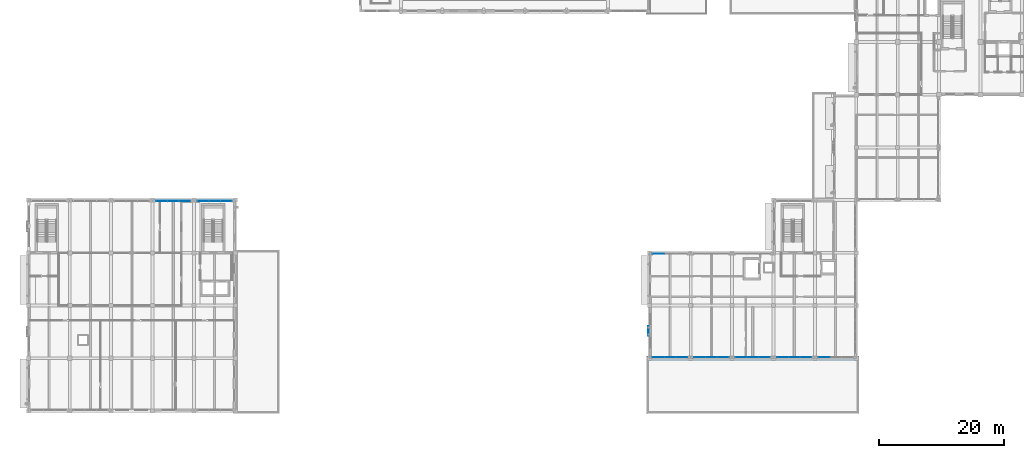
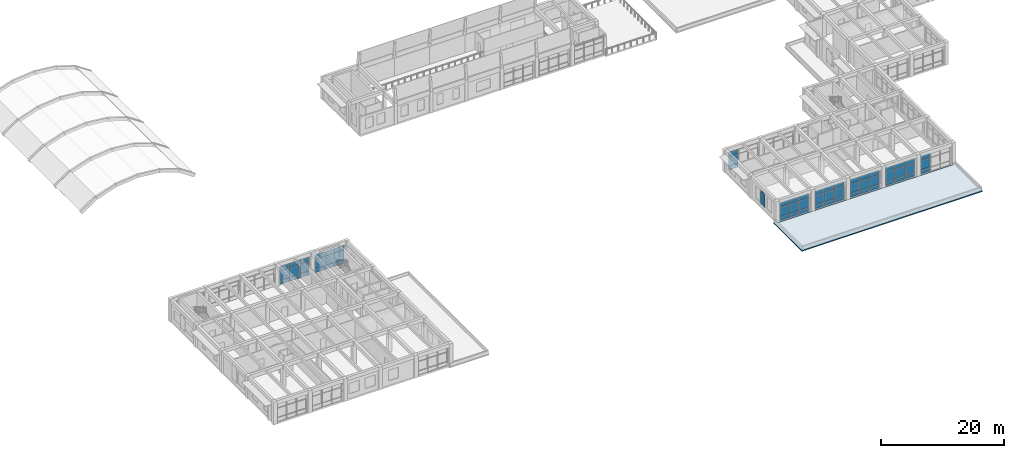
# One storey, part 20 of 50: 61 plates, 1 slab, 8 elements without a shape of their own.
"""IFC4 building model written with IfcOpenShell, lengths in metres."""

from ifc_helpers import new_model, si_unit, direction, frame, origin, origin_2d, place, context, subcontext, project, spatial, polyline, rectangle, outline, extrude, material, layer, layer_set, type_object, element, aggregate, save


model = new_model("IFC4")

# Units and contexts
model_context = context("Model", 3, precision=1e-05, world=origin(), true_north=direction((0.0, 1.0)))
body_context = subcontext(model_context, "Body", "Model", "MODEL_VIEW")
ifc_project = project(units=[si_unit("LENGTHUNIT", "METRE"), si_unit("AREAUNIT", "SQUARE_METRE"), si_unit("VOLUMEUNIT", "CUBIC_METRE"), si_unit("PLANEANGLEUNIT", "RADIAN"), si_unit("MASSUNIT", "GRAM", prefix="KILO")], contexts=[model_context])

# Site, building, storey
site_placement = place(None, origin())
site = spatial("IfcSite", under=ifc_project, at=site_placement, CompositionType="ELEMENT")
building_placement = place(site_placement, origin())
building = spatial("IfcBuilding", under=site, at=building_placement, Name="Kolvaren Faculty of Natural Sciences", CompositionType="ELEMENT")
storey_placement = place(building_placement, frame((0.0, 0.0, 15.0)))
storey = spatial("IfcBuildingStorey", under=building, at=storey_placement, Name="L03", CompositionType="ELEMENT", Elevation=15.0)

# Curtain wall, plates
ifc_material_1 = material(Name="Thermally broken anodised aluminium framing", Category="aluminium")
ifc_layer_1 = layer(ifc_material_1, 0.179931640625)
ifc_layer_set_1 = layer_set([ifc_layer_1], Name="Thermally broken anodised aluminium framing")
curtain_wall_type = type_object("IfcCurtainWallType", Name="CommonsCurtainWall_CW02", PredefinedType="NOTDEFINED", material=ifc_layer_set_1)
curtain_wall_1_placement = place(storey_placement, origin())
curtain_wall_1 = element("IfcCurtainWall", 1, at=curtain_wall_1_placement, inside=storey, type_object=curtain_wall_type, Name="L03 unitised curtain wall CW-02 (CW-L03-136)", PredefinedType="NOTDEFINED")
ifc_material_2 = material(Name="Double low-E solar control insulated glazing", Category="glass")
ifc_layer_2 = layer(ifc_material_2, 0.035888671875)
ifc_layer_set_2 = layer_set([ifc_layer_2], Name="Double low-E solar control insulated glazing")
plate_type_1 = type_object("IfcPlateType", Name="EnvelopePlate_CWPGL1", PredefinedType="CURTAIN_PANEL", material=ifc_layer_set_2)
plate_1_placement = place(storey_placement, frame((28.066650390625, 42.06005859375, 0.919921875), z_axis=(0.0, 0.0, 1.0), x_axis=(1.0, 0.0, 0.0)))
plate_1 = element("IfcPlate", 2, at=plate_1_placement, type_object=plate_type_1, Name="CW-L03-136 panel 1 V1", PredefinedType="CURTAIN_PANEL", context=body_context, shape_type="SweptSolid", body=[
    extrude(rectangle(XDim=1.783203125, YDim=0.035888671875, at=origin_2d()), origin(), (0.0, 0.0, 1.0), 1.844970703125),
])
plate_2_placement = place(storey_placement, frame((29.89990234375, 42.06005859375, 0.919921875), z_axis=(0.0, 0.0, 1.0), x_axis=(1.0, 0.0, 0.0)))
plate_2 = element("IfcPlate", 3, at=plate_2_placement, type_object=plate_type_1, Name="CW-L03-136 panel 2 V1", PredefinedType="CURTAIN_PANEL", context=body_context, shape_type="SweptSolid", body=[
    extrude(rectangle(XDim=1.783203125, YDim=0.035888671875, at=origin_2d()), origin(), (0.0, 0.0, 1.0), 1.844970703125),
])
plate_3_placement = place(storey_placement, frame((31.7333984375, 42.06005859375, 0.919921875), z_axis=(0.0, 0.0, 1.0), x_axis=(1.0, 0.0, 0.0)))
plate_3 = element("IfcPlate", 4, at=plate_3_placement, type_object=plate_type_1, Name="CW-L03-136 panel 3 V1", PredefinedType="CURTAIN_PANEL", context=body_context, shape_type="SweptSolid", body=[
    extrude(rectangle(XDim=1.783203125, YDim=0.035888671875, at=origin_2d()), origin(), (0.0, 0.0, 1.0), 1.844970703125),
])

curtain_wall_2_placement = place(storey_placement, origin())
curtain_wall_2 = element("IfcCurtainWall", 5, at=curtain_wall_2_placement, inside=storey, type_object=curtain_wall_type, Name="L03 unitised curtain wall CW-02 (CW-L03-137)", PredefinedType="NOTDEFINED")
plate_4_placement = place(storey_placement, frame((34.666748046875, 42.06005859375, 0.919921875), z_axis=(0.0, 0.0, 1.0), x_axis=(1.0, 0.0, 0.0)))
plate_4 = element("IfcPlate", 6, at=plate_4_placement, type_object=plate_type_1, Name="CW-L03-137 panel 1 V1", PredefinedType="CURTAIN_PANEL", context=body_context, shape_type="SweptSolid", body=[
    extrude(rectangle(XDim=1.783203125, YDim=0.035888671875, at=origin_2d()), origin(), (0.0, 0.0, 1.0), 1.844970703125),
])
plate_5_placement = place(storey_placement, frame((36.5, 42.06005859375, 0.919921875), z_axis=(0.0, 0.0, 1.0), x_axis=(1.0, 0.0, 0.0)))
plate_5 = element("IfcPlate", 7, at=plate_5_placement, type_object=plate_type_1, Name="CW-L03-137 panel 2 V1", PredefinedType="CURTAIN_PANEL", context=body_context, shape_type="SweptSolid", body=[
    extrude(rectangle(XDim=1.783203125, YDim=0.035888671875, at=origin_2d()), origin(), (0.0, 0.0, 1.0), 1.844970703125),
])
plate_6_placement = place(storey_placement, frame((38.333251953125, 42.06005859375, 0.919921875), z_axis=(0.0, 0.0, 1.0), x_axis=(1.0, 0.0, 0.0)))
plate_6 = element("IfcPlate", 8, at=plate_6_placement, type_object=plate_type_1, Name="CW-L03-137 panel 3 V1", PredefinedType="CURTAIN_PANEL", context=body_context, shape_type="SweptSolid", body=[
    extrude(rectangle(XDim=1.783203125, YDim=0.035888671875, at=origin_2d()), origin(), (0.0, 0.0, 1.0), 1.844970703125),
])

# Curtain wall, plate
curtain_wall_3_placement = place(storey_placement, origin())
curtain_wall_3 = element("IfcCurtainWall", 9, at=curtain_wall_3_placement, inside=storey, type_object=curtain_wall_type, Name="L03 unitised curtain wall CW-02 (CW-L03-156)", PredefinedType="NOTDEFINED")
plate_7_placement = place(storey_placement, frame((133.666748046875, 17.139892578125, 0.919921875), z_axis=(0.0, 0.0, 1.0), x_axis=(-1.0, 0.0, 0.0)))
plate_7 = element("IfcPlate", 10, at=plate_7_placement, type_object=plate_type_1, Name="CW-L03-156 panel 3 V1", PredefinedType="CURTAIN_PANEL", context=body_context, shape_type="SweptSolid", body=[
    extrude(rectangle(XDim=1.783203125, YDim=0.035888671875, at=origin_2d()), origin(), (0.0, 0.0, 1.0), 1.844970703125),
])

# Curtain wall, plates
curtain_wall_4_placement = place(storey_placement, origin())
curtain_wall_4 = element("IfcCurtainWall", 11, at=curtain_wall_4_placement, inside=storey, type_object=curtain_wall_type, Name="L03 unitised curtain wall CW-02 (CW-L03-157)", PredefinedType="NOTDEFINED")
plate_8_placement = place(storey_placement, frame((130.7333984375, 17.139892578125, 0.919921875), z_axis=(0.0, 0.0, 1.0), x_axis=(-1.0, 0.0, 0.0)))
plate_8 = element("IfcPlate", 12, at=plate_8_placement, type_object=plate_type_1, Name="CW-L03-157 panel 1 V1", PredefinedType="CURTAIN_PANEL", context=body_context, shape_type="SweptSolid", body=[
    extrude(rectangle(XDim=1.783203125, YDim=0.035888671875, at=origin_2d()), origin(), (0.0, 0.0, 1.0), 1.844970703125),
])
plate_9_placement = place(storey_placement, frame((128.89990234375, 17.139892578125, 0.919921875), z_axis=(0.0, 0.0, 1.0), x_axis=(-1.0, 0.0, 0.0)))
plate_9 = element("IfcPlate", 13, at=plate_9_placement, type_object=plate_type_1, Name="CW-L03-157 panel 2 V1", PredefinedType="CURTAIN_PANEL", context=body_context, shape_type="SweptSolid", body=[
    extrude(rectangle(XDim=1.783203125, YDim=0.035888671875, at=origin_2d()), origin(), (0.0, 0.0, 1.0), 1.844970703125),
])
plate_10_placement = place(storey_placement, frame((127.066650390625, 17.139892578125, 0.919921875), z_axis=(0.0, 0.0, 1.0), x_axis=(-1.0, 0.0, 0.0)))
plate_10 = element("IfcPlate", 14, at=plate_10_placement, type_object=plate_type_1, Name="CW-L03-157 panel 3 V1", PredefinedType="CURTAIN_PANEL", context=body_context, shape_type="SweptSolid", body=[
    extrude(rectangle(XDim=1.783203125, YDim=0.035888671875, at=origin_2d()), origin(), (0.0, 0.0, 1.0), 1.844970703125),
])

curtain_wall_5_placement = place(storey_placement, origin())
curtain_wall_5 = element("IfcCurtainWall", 15, at=curtain_wall_5_placement, inside=storey, type_object=curtain_wall_type, Name="L03 unitised curtain wall CW-02 (CW-L03-158)", PredefinedType="NOTDEFINED")
plate_11_placement = place(storey_placement, frame((124.13330078125, 17.139892578125, 0.919921875), z_axis=(0.0, 0.0, 1.0), x_axis=(-1.0, 0.0, 0.0)))
plate_11 = element("IfcPlate", 16, at=plate_11_placement, type_object=plate_type_1, Name="CW-L03-158 panel 1 V1", PredefinedType="CURTAIN_PANEL", context=body_context, shape_type="SweptSolid", body=[
    extrude(rectangle(XDim=1.783203125, YDim=0.035888671875, at=origin_2d()), origin(), (0.0, 0.0, 1.0), 1.844970703125),
])
plate_12_placement = place(storey_placement, frame((122.300048828125, 17.139892578125, 0.919921875), z_axis=(0.0, 0.0, 1.0), x_axis=(-1.0, 0.0, 0.0)))
plate_12 = element("IfcPlate", 17, at=plate_12_placement, type_object=plate_type_1, Name="CW-L03-158 panel 2 V1", PredefinedType="CURTAIN_PANEL", context=body_context, shape_type="SweptSolid", body=[
    extrude(rectangle(XDim=1.783203125, YDim=0.035888671875, at=origin_2d()), origin(), (0.0, 0.0, 1.0), 1.844970703125),
])
plate_13_placement = place(storey_placement, frame((120.466796875, 17.139892578125, 0.919921875), z_axis=(0.0, 0.0, 1.0), x_axis=(-1.0, 0.0, 0.0)))
plate_13 = element("IfcPlate", 18, at=plate_13_placement, type_object=plate_type_1, Name="CW-L03-158 panel 3 V1", PredefinedType="CURTAIN_PANEL", context=body_context, shape_type="SweptSolid", body=[
    extrude(rectangle(XDim=1.783203125, YDim=0.035888671875, at=origin_2d()), origin(), (0.0, 0.0, 1.0), 1.844970703125),
])

curtain_wall_6_placement = place(storey_placement, origin())
curtain_wall_6 = element("IfcCurtainWall", 19, at=curtain_wall_6_placement, inside=storey, type_object=curtain_wall_type, Name="L03 unitised curtain wall CW-02 (CW-L03-159)", PredefinedType="NOTDEFINED")
plate_14_placement = place(storey_placement, frame((117.533203125, 17.139892578125, 0.919921875), z_axis=(0.0, 0.0, 1.0), x_axis=(-1.0, 0.0, 0.0)))
plate_14 = element("IfcPlate", 20, at=plate_14_placement, type_object=plate_type_1, Name="CW-L03-159 panel 1 V1", PredefinedType="CURTAIN_PANEL", context=body_context, shape_type="SweptSolid", body=[
    extrude(rectangle(XDim=1.783203125, YDim=0.035888671875, at=origin_2d()), origin(), (0.0, 0.0, 1.0), 1.844970703125),
])
plate_15_placement = place(storey_placement, frame((115.699951171875, 17.139892578125, 0.919921875), z_axis=(0.0, 0.0, 1.0), x_axis=(-1.0, 0.0, 0.0)))
plate_15 = element("IfcPlate", 21, at=plate_15_placement, type_object=plate_type_1, Name="CW-L03-159 panel 2 V1", PredefinedType="CURTAIN_PANEL", context=body_context, shape_type="SweptSolid", body=[
    extrude(rectangle(XDim=1.783203125, YDim=0.035888671875, at=origin_2d()), origin(), (0.0, 0.0, 1.0), 1.844970703125),
])
plate_16_placement = place(storey_placement, frame((113.86669921875, 17.139892578125, 0.919921875), z_axis=(0.0, 0.0, 1.0), x_axis=(-1.0, 0.0, 0.0)))
plate_16 = element("IfcPlate", 22, at=plate_16_placement, type_object=plate_type_1, Name="CW-L03-159 panel 3 V1", PredefinedType="CURTAIN_PANEL", context=body_context, shape_type="SweptSolid", body=[
    extrude(rectangle(XDim=1.783203125, YDim=0.035888671875, at=origin_2d()), origin(), (0.0, 0.0, 1.0), 1.844970703125),
])

curtain_wall_7_placement = place(storey_placement, origin())
curtain_wall_7 = element("IfcCurtainWall", 23, at=curtain_wall_7_placement, inside=storey, type_object=curtain_wall_type, Name="L03 unitised curtain wall CW-02 (CW-L03-160)", PredefinedType="NOTDEFINED")
plate_17_placement = place(storey_placement, frame((110.933349609375, 17.139892578125, 0.919921875), z_axis=(0.0, 0.0, 1.0), x_axis=(-1.0, 0.0, 0.0)))
plate_17 = element("IfcPlate", 24, at=plate_17_placement, type_object=plate_type_1, Name="CW-L03-160 panel 1 V1", PredefinedType="CURTAIN_PANEL", context=body_context, shape_type="SweptSolid", body=[
    extrude(rectangle(XDim=1.783203125, YDim=0.035888671875, at=origin_2d()), origin(), (0.0, 0.0, 1.0), 1.844970703125),
])
plate_18_placement = place(storey_placement, frame((109.10009765625, 17.139892578125, 0.919921875), z_axis=(0.0, 0.0, 1.0), x_axis=(-1.0, 0.0, 0.0)))
plate_18 = element("IfcPlate", 25, at=plate_18_placement, type_object=plate_type_1, Name="CW-L03-160 panel 2 V1", PredefinedType="CURTAIN_PANEL", context=body_context, shape_type="SweptSolid", body=[
    extrude(rectangle(XDim=1.783203125, YDim=0.035888671875, at=origin_2d()), origin(), (0.0, 0.0, 1.0), 1.844970703125),
])
plate_19_placement = place(storey_placement, frame((107.2666015625, 17.139892578125, 0.919921875), z_axis=(0.0, 0.0, 1.0), x_axis=(-1.0, 0.0, 0.0)))
plate_19 = element("IfcPlate", 26, at=plate_19_placement, type_object=plate_type_1, Name="CW-L03-160 panel 3 V1", PredefinedType="CURTAIN_PANEL", context=body_context, shape_type="SweptSolid", body=[
    extrude(rectangle(XDim=1.783203125, YDim=0.035888671875, at=origin_2d()), origin(), (0.0, 0.0, 1.0), 1.844970703125),
])

# Curtain wall, plate
curtain_wall_8_placement = place(storey_placement, origin())
curtain_wall_8 = element("IfcCurtainWall", 27, at=curtain_wall_8_placement, inside=storey, type_object=curtain_wall_type, Name="L03 unitised curtain wall CW-02 (CW-L03-161)", PredefinedType="NOTDEFINED")
plate_20_placement = place(storey_placement, frame((107.2666015625, 33.659912109375, 0.919921875), z_axis=(0.0, 0.0, 1.0), x_axis=(1.0, 0.0, 0.0)))
plate_20 = element("IfcPlate", 28, at=plate_20_placement, type_object=plate_type_1, Name="CW-L03-161 panel 1 V1", PredefinedType="CURTAIN_PANEL", context=body_context, shape_type="SweptSolid", body=[
    extrude(rectangle(XDim=1.783203125, YDim=0.035888671875, at=origin_2d()), origin(), (0.0, 0.0, 1.0), 1.844970703125),
])

# Plate
ifc_layer_3 = layer(ifc_material_2, 0.035888671875)
ifc_layer_set_3 = layer_set([ifc_layer_3], Name="Double low-E solar control insulated glazing")
plate_type_2 = type_object("IfcPlateType", Name="EnvelopePlate_CWPGL2", PredefinedType="CURTAIN_PANEL", material=ifc_layer_set_3)
plate_21_placement = place(storey_placement, frame((28.066650390625, 42.06005859375, 2.804931640625), z_axis=(0.0, 0.0, 1.0), x_axis=(1.0, 0.0, 0.0)))
plate_21 = element("IfcPlate", 29, at=plate_21_placement, type_object=plate_type_2, Name="CW-L03-136 panel 1 V2", PredefinedType="CURTAIN_PANEL", context=body_context, shape_type="SweptSolid", body=[
    extrude(rectangle(XDim=1.783203125, YDim=0.035888671875, at=origin_2d()), origin(), (0.0, 0.0, 1.0), 0.830078125),
])

plate_22_placement = place(storey_placement, frame((29.89990234375, 42.06005859375, 2.804931640625), z_axis=(0.0, 0.0, 1.0), x_axis=(1.0, 0.0, 0.0)))
plate_22 = element("IfcPlate", 30, at=plate_22_placement, type_object=plate_type_2, Name="CW-L03-136 panel 2 V2", PredefinedType="CURTAIN_PANEL", context=body_context, shape_type="SweptSolid", body=[
    extrude(rectangle(XDim=1.783203125, YDim=0.035888671875, at=origin_2d()), origin(), (0.0, 0.0, 1.0), 0.830078125),
])

plate_23_placement = place(storey_placement, frame((31.7333984375, 42.06005859375, 2.804931640625), z_axis=(0.0, 0.0, 1.0), x_axis=(1.0, 0.0, 0.0)))
plate_23 = element("IfcPlate", 31, at=plate_23_placement, type_object=plate_type_2, Name="CW-L03-136 panel 3 V2", PredefinedType="CURTAIN_PANEL", context=body_context, shape_type="SweptSolid", body=[
    extrude(rectangle(XDim=1.783203125, YDim=0.035888671875, at=origin_2d()), origin(), (0.0, 0.0, 1.0), 0.830078125),
])

plate_24_placement = place(storey_placement, frame((34.666748046875, 42.06005859375, 2.804931640625), z_axis=(0.0, 0.0, 1.0), x_axis=(1.0, 0.0, 0.0)))
plate_24 = element("IfcPlate", 32, at=plate_24_placement, type_object=plate_type_2, Name="CW-L03-137 panel 1 V2", PredefinedType="CURTAIN_PANEL", context=body_context, shape_type="SweptSolid", body=[
    extrude(rectangle(XDim=1.783203125, YDim=0.035888671875, at=origin_2d()), origin(), (0.0, 0.0, 1.0), 0.830078125),
])

plate_25_placement = place(storey_placement, frame((36.5, 42.06005859375, 2.804931640625), z_axis=(0.0, 0.0, 1.0), x_axis=(1.0, 0.0, 0.0)))
plate_25 = element("IfcPlate", 33, at=plate_25_placement, type_object=plate_type_2, Name="CW-L03-137 panel 2 V2", PredefinedType="CURTAIN_PANEL", context=body_context, shape_type="SweptSolid", body=[
    extrude(rectangle(XDim=1.783203125, YDim=0.035888671875, at=origin_2d()), origin(), (0.0, 0.0, 1.0), 0.830078125),
])

plate_26_placement = place(storey_placement, frame((38.333251953125, 42.06005859375, 2.804931640625), z_axis=(0.0, 0.0, 1.0), x_axis=(1.0, 0.0, 0.0)))
plate_26 = element("IfcPlate", 34, at=plate_26_placement, type_object=plate_type_2, Name="CW-L03-137 panel 3 V2", PredefinedType="CURTAIN_PANEL", context=body_context, shape_type="SweptSolid", body=[
    extrude(rectangle(XDim=1.783203125, YDim=0.035888671875, at=origin_2d()), origin(), (0.0, 0.0, 1.0), 0.830078125),
])

plate_27_placement = place(storey_placement, frame((133.666748046875, 17.139892578125, 2.804931640625), z_axis=(0.0, 0.0, 1.0), x_axis=(-1.0, 0.0, 0.0)))
plate_27 = element("IfcPlate", 35, at=plate_27_placement, type_object=plate_type_2, Name="CW-L03-156 panel 3 V2", PredefinedType="CURTAIN_PANEL", context=body_context, shape_type="SweptSolid", body=[
    extrude(rectangle(XDim=1.783203125, YDim=0.035888671875, at=origin_2d()), origin(), (0.0, 0.0, 1.0), 0.830078125),
])

plate_28_placement = place(storey_placement, frame((130.7333984375, 17.139892578125, 2.804931640625), z_axis=(0.0, 0.0, 1.0), x_axis=(-1.0, 0.0, 0.0)))
plate_28 = element("IfcPlate", 36, at=plate_28_placement, type_object=plate_type_2, Name="CW-L03-157 panel 1 V2", PredefinedType="CURTAIN_PANEL", context=body_context, shape_type="SweptSolid", body=[
    extrude(rectangle(XDim=1.783203125, YDim=0.035888671875, at=origin_2d()), origin(), (0.0, 0.0, 1.0), 0.830078125),
])

plate_29_placement = place(storey_placement, frame((128.89990234375, 17.139892578125, 2.804931640625), z_axis=(0.0, 0.0, 1.0), x_axis=(-1.0, 0.0, 0.0)))
plate_29 = element("IfcPlate", 37, at=plate_29_placement, type_object=plate_type_2, Name="CW-L03-157 panel 2 V2", PredefinedType="CURTAIN_PANEL", context=body_context, shape_type="SweptSolid", body=[
    extrude(rectangle(XDim=1.783203125, YDim=0.035888671875, at=origin_2d()), origin(), (0.0, 0.0, 1.0), 0.830078125),
])

plate_30_placement = place(storey_placement, frame((127.066650390625, 17.139892578125, 2.804931640625), z_axis=(0.0, 0.0, 1.0), x_axis=(-1.0, 0.0, 0.0)))
plate_30 = element("IfcPlate", 38, at=plate_30_placement, type_object=plate_type_2, Name="CW-L03-157 panel 3 V2", PredefinedType="CURTAIN_PANEL", context=body_context, shape_type="SweptSolid", body=[
    extrude(rectangle(XDim=1.783203125, YDim=0.035888671875, at=origin_2d()), origin(), (0.0, 0.0, 1.0), 0.830078125),
])

plate_31_placement = place(storey_placement, frame((124.13330078125, 17.139892578125, 2.804931640625), z_axis=(0.0, 0.0, 1.0), x_axis=(-1.0, 0.0, 0.0)))
plate_31 = element("IfcPlate", 39, at=plate_31_placement, type_object=plate_type_2, Name="CW-L03-158 panel 1 V2", PredefinedType="CURTAIN_PANEL", context=body_context, shape_type="SweptSolid", body=[
    extrude(rectangle(XDim=1.783203125, YDim=0.035888671875, at=origin_2d()), origin(), (0.0, 0.0, 1.0), 0.830078125),
])

plate_32_placement = place(storey_placement, frame((122.300048828125, 17.139892578125, 2.804931640625), z_axis=(0.0, 0.0, 1.0), x_axis=(-1.0, 0.0, 0.0)))
plate_32 = element("IfcPlate", 40, at=plate_32_placement, type_object=plate_type_2, Name="CW-L03-158 panel 2 V2", PredefinedType="CURTAIN_PANEL", context=body_context, shape_type="SweptSolid", body=[
    extrude(rectangle(XDim=1.783203125, YDim=0.035888671875, at=origin_2d()), origin(), (0.0, 0.0, 1.0), 0.830078125),
])

plate_33_placement = place(storey_placement, frame((120.466796875, 17.139892578125, 2.804931640625), z_axis=(0.0, 0.0, 1.0), x_axis=(-1.0, 0.0, 0.0)))
plate_33 = element("IfcPlate", 41, at=plate_33_placement, type_object=plate_type_2, Name="CW-L03-158 panel 3 V2", PredefinedType="CURTAIN_PANEL", context=body_context, shape_type="SweptSolid", body=[
    extrude(rectangle(XDim=1.783203125, YDim=0.035888671875, at=origin_2d()), origin(), (0.0, 0.0, 1.0), 0.830078125),
])

plate_34_placement = place(storey_placement, frame((117.533203125, 17.139892578125, 2.804931640625), z_axis=(0.0, 0.0, 1.0), x_axis=(-1.0, 0.0, 0.0)))
plate_34 = element("IfcPlate", 42, at=plate_34_placement, type_object=plate_type_2, Name="CW-L03-159 panel 1 V2", PredefinedType="CURTAIN_PANEL", context=body_context, shape_type="SweptSolid", body=[
    extrude(rectangle(XDim=1.783203125, YDim=0.035888671875, at=origin_2d()), origin(), (0.0, 0.0, 1.0), 0.830078125),
])

plate_35_placement = place(storey_placement, frame((115.699951171875, 17.139892578125, 2.804931640625), z_axis=(0.0, 0.0, 1.0), x_axis=(-1.0, 0.0, 0.0)))
plate_35 = element("IfcPlate", 43, at=plate_35_placement, type_object=plate_type_2, Name="CW-L03-159 panel 2 V2", PredefinedType="CURTAIN_PANEL", context=body_context, shape_type="SweptSolid", body=[
    extrude(rectangle(XDim=1.783203125, YDim=0.035888671875, at=origin_2d()), origin(), (0.0, 0.0, 1.0), 0.830078125),
])

plate_36_placement = place(storey_placement, frame((113.86669921875, 17.139892578125, 2.804931640625), z_axis=(0.0, 0.0, 1.0), x_axis=(-1.0, 0.0, 0.0)))
plate_36 = element("IfcPlate", 44, at=plate_36_placement, type_object=plate_type_2, Name="CW-L03-159 panel 3 V2", PredefinedType="CURTAIN_PANEL", context=body_context, shape_type="SweptSolid", body=[
    extrude(rectangle(XDim=1.783203125, YDim=0.035888671875, at=origin_2d()), origin(), (0.0, 0.0, 1.0), 0.830078125),
])

plate_37_placement = place(storey_placement, frame((110.933349609375, 17.139892578125, 2.804931640625), z_axis=(0.0, 0.0, 1.0), x_axis=(-1.0, 0.0, 0.0)))
plate_37 = element("IfcPlate", 45, at=plate_37_placement, type_object=plate_type_2, Name="CW-L03-160 panel 1 V2", PredefinedType="CURTAIN_PANEL", context=body_context, shape_type="SweptSolid", body=[
    extrude(rectangle(XDim=1.783203125, YDim=0.035888671875, at=origin_2d()), origin(), (0.0, 0.0, 1.0), 0.830078125),
])

plate_38_placement = place(storey_placement, frame((109.10009765625, 17.139892578125, 2.804931640625), z_axis=(0.0, 0.0, 1.0), x_axis=(-1.0, 0.0, 0.0)))
plate_38 = element("IfcPlate", 46, at=plate_38_placement, type_object=plate_type_2, Name="CW-L03-160 panel 2 V2", PredefinedType="CURTAIN_PANEL", context=body_context, shape_type="SweptSolid", body=[
    extrude(rectangle(XDim=1.783203125, YDim=0.035888671875, at=origin_2d()), origin(), (0.0, 0.0, 1.0), 0.830078125),
])

plate_39_placement = place(storey_placement, frame((107.2666015625, 17.139892578125, 2.804931640625), z_axis=(0.0, 0.0, 1.0), x_axis=(-1.0, 0.0, 0.0)))
plate_39 = element("IfcPlate", 47, at=plate_39_placement, type_object=plate_type_2, Name="CW-L03-160 panel 3 V2", PredefinedType="CURTAIN_PANEL", context=body_context, shape_type="SweptSolid", body=[
    extrude(rectangle(XDim=1.783203125, YDim=0.035888671875, at=origin_2d()), origin(), (0.0, 0.0, 1.0), 0.830078125),
])

plate_40_placement = place(storey_placement, frame((107.2666015625, 33.659912109375, 2.804931640625), z_axis=(0.0, 0.0, 1.0), x_axis=(1.0, 0.0, 0.0)))
plate_40 = element("IfcPlate", 48, at=plate_40_placement, type_object=plate_type_2, Name="CW-L03-161 panel 1 V2", PredefinedType="CURTAIN_PANEL", context=body_context, shape_type="SweptSolid", body=[
    extrude(rectangle(XDim=1.783203125, YDim=0.035888671875, at=origin_2d()), origin(), (0.0, 0.0, 1.0), 0.830078125),
])

ifc_material_3 = material(Name="Insulated anodised aluminium spandrel panel", Category="aluminium")
ifc_layer_4 = layer(ifc_material_3, 0.050048828125)
ifc_layer_set_4 = layer_set([ifc_layer_4], Name="Insulated anodised aluminium spandrel panel")
plate_type_3 = type_object("IfcPlateType", Name="EnvelopePlate_CWPSP1", PredefinedType="SHEET", material=ifc_layer_set_4)
plate_41_placement = place(storey_placement, frame((28.066650390625, 42.06005859375, 0.10009765625), z_axis=(0.0, 0.0, 1.0), x_axis=(1.0, 0.0, 0.0)))
plate_41 = element("IfcPlate", 49, at=plate_41_placement, type_object=plate_type_3, Name="CW-L03-136 panel 1 SP", PredefinedType="SHEET", context=body_context, shape_type="SweptSolid", body=[
    extrude(rectangle(XDim=1.783203125, YDim=0.050048828125, at=origin_2d()), origin(), (0.0, 0.0, 1.0), 0.780029296875),
])

plate_42_placement = place(storey_placement, frame((29.89990234375, 42.06005859375, 0.10009765625), z_axis=(0.0, 0.0, 1.0), x_axis=(1.0, 0.0, 0.0)))
plate_42 = element("IfcPlate", 50, at=plate_42_placement, type_object=plate_type_3, Name="CW-L03-136 panel 2 SP", PredefinedType="SHEET", context=body_context, shape_type="SweptSolid", body=[
    extrude(rectangle(XDim=1.783203125, YDim=0.050048828125, at=origin_2d()), origin(), (0.0, 0.0, 1.0), 0.780029296875),
])

plate_43_placement = place(storey_placement, frame((31.7333984375, 42.06005859375, 0.10009765625), z_axis=(0.0, 0.0, 1.0), x_axis=(1.0, 0.0, 0.0)))
plate_43 = element("IfcPlate", 51, at=plate_43_placement, type_object=plate_type_3, Name="CW-L03-136 panel 3 SP", PredefinedType="SHEET", context=body_context, shape_type="SweptSolid", body=[
    extrude(rectangle(XDim=1.783203125, YDim=0.050048828125, at=origin_2d()), origin(), (0.0, 0.0, 1.0), 0.780029296875),
])

aggregate(curtain_wall_1, [plate_41, plate_1, plate_21, plate_42, plate_2, plate_22, plate_43, plate_3, plate_23])

plate_44_placement = place(storey_placement, frame((34.666748046875, 42.06005859375, 0.10009765625), z_axis=(0.0, 0.0, 1.0), x_axis=(1.0, 0.0, 0.0)))
plate_44 = element("IfcPlate", 52, at=plate_44_placement, type_object=plate_type_3, Name="CW-L03-137 panel 1 SP", PredefinedType="SHEET", context=body_context, shape_type="SweptSolid", body=[
    extrude(rectangle(XDim=1.783203125, YDim=0.050048828125, at=origin_2d()), origin(), (0.0, 0.0, 1.0), 0.780029296875),
])

plate_45_placement = place(storey_placement, frame((36.5, 42.06005859375, 0.10009765625), z_axis=(0.0, 0.0, 1.0), x_axis=(1.0, 0.0, 0.0)))
plate_45 = element("IfcPlate", 53, at=plate_45_placement, type_object=plate_type_3, Name="CW-L03-137 panel 2 SP", PredefinedType="SHEET", context=body_context, shape_type="SweptSolid", body=[
    extrude(rectangle(XDim=1.783203125, YDim=0.050048828125, at=origin_2d()), origin(), (0.0, 0.0, 1.0), 0.780029296875),
])

plate_46_placement = place(storey_placement, frame((38.333251953125, 42.06005859375, 0.10009765625), z_axis=(0.0, 0.0, 1.0), x_axis=(1.0, 0.0, 0.0)))
plate_46 = element("IfcPlate", 54, at=plate_46_placement, type_object=plate_type_3, Name="CW-L03-137 panel 3 SP", PredefinedType="SHEET", context=body_context, shape_type="SweptSolid", body=[
    extrude(rectangle(XDim=1.783203125, YDim=0.050048828125, at=origin_2d()), origin(), (0.0, 0.0, 1.0), 0.780029296875),
])

aggregate(curtain_wall_2, [plate_44, plate_4, plate_24, plate_45, plate_5, plate_25, plate_46, plate_6, plate_26])

plate_47_placement = place(storey_placement, frame((133.666748046875, 17.139892578125, 0.10009765625), z_axis=(0.0, 0.0, 1.0), x_axis=(-1.0, 0.0, 0.0)))
plate_47 = element("IfcPlate", 55, at=plate_47_placement, type_object=plate_type_3, Name="CW-L03-156 panel 3 SP", PredefinedType="SHEET", context=body_context, shape_type="SweptSolid", body=[
    extrude(rectangle(XDim=1.783203125, YDim=0.050048828125, at=origin_2d()), origin(), (0.0, 0.0, 1.0), 0.780029296875),
])

aggregate(curtain_wall_3, [plate_47, plate_7, plate_27])

plate_48_placement = place(storey_placement, frame((130.7333984375, 17.139892578125, 0.10009765625), z_axis=(0.0, 0.0, 1.0), x_axis=(-1.0, 0.0, 0.0)))
plate_48 = element("IfcPlate", 56, at=plate_48_placement, type_object=plate_type_3, Name="CW-L03-157 panel 1 SP", PredefinedType="SHEET", context=body_context, shape_type="SweptSolid", body=[
    extrude(rectangle(XDim=1.783203125, YDim=0.050048828125, at=origin_2d()), origin(), (0.0, 0.0, 1.0), 0.780029296875),
])

plate_49_placement = place(storey_placement, frame((128.89990234375, 17.139892578125, 0.10009765625), z_axis=(0.0, 0.0, 1.0), x_axis=(-1.0, 0.0, 0.0)))
plate_49 = element("IfcPlate", 57, at=plate_49_placement, type_object=plate_type_3, Name="CW-L03-157 panel 2 SP", PredefinedType="SHEET", context=body_context, shape_type="SweptSolid", body=[
    extrude(rectangle(XDim=1.783203125, YDim=0.050048828125, at=origin_2d()), origin(), (0.0, 0.0, 1.0), 0.780029296875),
])

plate_50_placement = place(storey_placement, frame((127.066650390625, 17.139892578125, 0.10009765625), z_axis=(0.0, 0.0, 1.0), x_axis=(-1.0, 0.0, 0.0)))
plate_50 = element("IfcPlate", 58, at=plate_50_placement, type_object=plate_type_3, Name="CW-L03-157 panel 3 SP", PredefinedType="SHEET", context=body_context, shape_type="SweptSolid", body=[
    extrude(rectangle(XDim=1.783203125, YDim=0.050048828125, at=origin_2d()), origin(), (0.0, 0.0, 1.0), 0.780029296875),
])

aggregate(curtain_wall_4, [plate_48, plate_8, plate_28, plate_49, plate_9, plate_29, plate_50, plate_10, plate_30])

plate_51_placement = place(storey_placement, frame((124.13330078125, 17.139892578125, 0.10009765625), z_axis=(0.0, 0.0, 1.0), x_axis=(-1.0, 0.0, 0.0)))
plate_51 = element("IfcPlate", 59, at=plate_51_placement, type_object=plate_type_3, Name="CW-L03-158 panel 1 SP", PredefinedType="SHEET", context=body_context, shape_type="SweptSolid", body=[
    extrude(rectangle(XDim=1.783203125, YDim=0.050048828125, at=origin_2d()), origin(), (0.0, 0.0, 1.0), 0.780029296875),
])

plate_52_placement = place(storey_placement, frame((122.300048828125, 17.139892578125, 0.10009765625), z_axis=(0.0, 0.0, 1.0), x_axis=(-1.0, 0.0, 0.0)))
plate_52 = element("IfcPlate", 60, at=plate_52_placement, type_object=plate_type_3, Name="CW-L03-158 panel 2 SP", PredefinedType="SHEET", context=body_context, shape_type="SweptSolid", body=[
    extrude(rectangle(XDim=1.783203125, YDim=0.050048828125, at=origin_2d()), origin(), (0.0, 0.0, 1.0), 0.780029296875),
])

plate_53_placement = place(storey_placement, frame((120.466796875, 17.139892578125, 0.10009765625), z_axis=(0.0, 0.0, 1.0), x_axis=(-1.0, 0.0, 0.0)))
plate_53 = element("IfcPlate", 61, at=plate_53_placement, type_object=plate_type_3, Name="CW-L03-158 panel 3 SP", PredefinedType="SHEET", context=body_context, shape_type="SweptSolid", body=[
    extrude(rectangle(XDim=1.783203125, YDim=0.050048828125, at=origin_2d()), origin(), (0.0, 0.0, 1.0), 0.780029296875),
])

aggregate(curtain_wall_5, [plate_51, plate_11, plate_31, plate_52, plate_12, plate_32, plate_53, plate_13, plate_33])

plate_54_placement = place(storey_placement, frame((117.533203125, 17.139892578125, 0.10009765625), z_axis=(0.0, 0.0, 1.0), x_axis=(-1.0, 0.0, 0.0)))
plate_54 = element("IfcPlate", 62, at=plate_54_placement, type_object=plate_type_3, Name="CW-L03-159 panel 1 SP", PredefinedType="SHEET", context=body_context, shape_type="SweptSolid", body=[
    extrude(rectangle(XDim=1.783203125, YDim=0.050048828125, at=origin_2d()), origin(), (0.0, 0.0, 1.0), 0.780029296875),
])

plate_55_placement = place(storey_placement, frame((115.699951171875, 17.139892578125, 0.10009765625), z_axis=(0.0, 0.0, 1.0), x_axis=(-1.0, 0.0, 0.0)))
plate_55 = element("IfcPlate", 63, at=plate_55_placement, type_object=plate_type_3, Name="CW-L03-159 panel 2 SP", PredefinedType="SHEET", context=body_context, shape_type="SweptSolid", body=[
    extrude(rectangle(XDim=1.783203125, YDim=0.050048828125, at=origin_2d()), origin(), (0.0, 0.0, 1.0), 0.780029296875),
])

plate_56_placement = place(storey_placement, frame((113.86669921875, 17.139892578125, 0.10009765625), z_axis=(0.0, 0.0, 1.0), x_axis=(-1.0, 0.0, 0.0)))
plate_56 = element("IfcPlate", 64, at=plate_56_placement, type_object=plate_type_3, Name="CW-L03-159 panel 3 SP", PredefinedType="SHEET", context=body_context, shape_type="SweptSolid", body=[
    extrude(rectangle(XDim=1.783203125, YDim=0.050048828125, at=origin_2d()), origin(), (0.0, 0.0, 1.0), 0.780029296875),
])

aggregate(curtain_wall_6, [plate_54, plate_14, plate_34, plate_55, plate_15, plate_35, plate_56, plate_16, plate_36])

plate_57_placement = place(storey_placement, frame((110.933349609375, 17.139892578125, 0.10009765625), z_axis=(0.0, 0.0, 1.0), x_axis=(-1.0, 0.0, 0.0)))
plate_57 = element("IfcPlate", 65, at=plate_57_placement, type_object=plate_type_3, Name="CW-L03-160 panel 1 SP", PredefinedType="SHEET", context=body_context, shape_type="SweptSolid", body=[
    extrude(rectangle(XDim=1.783203125, YDim=0.050048828125, at=origin_2d()), origin(), (0.0, 0.0, 1.0), 0.780029296875),
])

plate_58_placement = place(storey_placement, frame((109.10009765625, 17.139892578125, 0.10009765625), z_axis=(0.0, 0.0, 1.0), x_axis=(-1.0, 0.0, 0.0)))
plate_58 = element("IfcPlate", 66, at=plate_58_placement, type_object=plate_type_3, Name="CW-L03-160 panel 2 SP", PredefinedType="SHEET", context=body_context, shape_type="SweptSolid", body=[
    extrude(rectangle(XDim=1.783203125, YDim=0.050048828125, at=origin_2d()), origin(), (0.0, 0.0, 1.0), 0.780029296875),
])

plate_59_placement = place(storey_placement, frame((107.2666015625, 17.139892578125, 0.10009765625), z_axis=(0.0, 0.0, 1.0), x_axis=(-1.0, 0.0, 0.0)))
plate_59 = element("IfcPlate", 67, at=plate_59_placement, type_object=plate_type_3, Name="CW-L03-160 panel 3 SP", PredefinedType="SHEET", context=body_context, shape_type="SweptSolid", body=[
    extrude(rectangle(XDim=1.783203125, YDim=0.050048828125, at=origin_2d()), origin(), (0.0, 0.0, 1.0), 0.780029296875),
])

aggregate(curtain_wall_7, [plate_57, plate_17, plate_37, plate_58, plate_18, plate_38, plate_59, plate_19, plate_39])

plate_60_placement = place(storey_placement, frame((107.2666015625, 33.659912109375, 0.10009765625), z_axis=(0.0, 0.0, 1.0), x_axis=(1.0, 0.0, 0.0)))
plate_60 = element("IfcPlate", 68, at=plate_60_placement, type_object=plate_type_3, Name="CW-L03-161 panel 1 SP", PredefinedType="SHEET", context=body_context, shape_type="SweptSolid", body=[
    extrude(rectangle(XDim=1.783203125, YDim=0.050048828125, at=origin_2d()), origin(), (0.0, 0.0, 1.0), 0.780029296875),
])

aggregate(curtain_wall_8, [plate_60, plate_20, plate_40])

ifc_material_4 = material(Name="Extruded architectural terracotta screen", Category="masonry")
ifc_layer_5 = layer(ifc_material_4, 0.06494140625)
ifc_layer_set_5 = layer_set([ifc_layer_5], Name="Extruded architectural terracotta screen")
plate_type_4 = type_object("IfcPlateType", Name="EnvelopePlate_JL01", PredefinedType="USERDEFINED", material=ifc_layer_set_5)
plate_61_placement = place(storey_placement, frame((105.659912109375, 21.340087890625, 0.849853515625), z_axis=(0.0, 0.0, 1.0), x_axis=(0.0, 1.0, 0.0)))
element("IfcPlate", 69, at=plate_61_placement, inside=storey, type_object=plate_type_4, Name="L03 perforated terracotta jali sun screen JL-01", ObjectType="SCREEN", PredefinedType="USERDEFINED", context=body_context, shape_type="SweptSolid", body=[
    extrude(rectangle(XDim=1.449951171875, YDim=0.06494140625, at=origin_2d()), origin(), (0.0, 0.0, 1.0), 2.60009765625),
])

# Slab
ifc_material_5 = material(Name="Concrete C35/45", Category="concrete")
ifc_layer_6 = layer(ifc_material_5, 0.219970703125)
ifc_layer_set_6 = layer_set([ifc_layer_6], Name="Concrete C35/45")
slab_type = type_object("IfcSlabType", Name="FlatWingRoofSlab_220", PredefinedType="ROOF", material=ifc_layer_set_6)
slab_placement = place(storey_placement, frame((0.0, 0.0, -0.219970703125)))
element("IfcSlab", 70, at=slab_placement, inside=storey, type_object=slab_type, Name="L03 flat reinforced concrete roof slab 1", PredefinedType="ROOF", context=body_context, shape_type="SweptSolid", body=[
    extrude(outline(polyline([(105.780029296875, 17.0), (105.780029296875, 16.998046875), (105.780517578125, 16.99609375), (105.781005859375, 16.994140625), (105.781494140625, 16.9921875), (105.782470703125, 16.990478515625), (105.783447265625, 16.989013671875), (105.784423828125, 16.9873046875), (105.785888671875, 16.98583984375), (105.787353515625, 16.984619140625), (105.788818359375, 16.9833984375), (105.79052734375, 16.982421875), (105.792236328125, 16.9814453125), (105.794189453125, 16.98095703125), (105.796142578125, 16.98046875), (105.798095703125, 16.97998046875), (105.800048828125, 16.97998046875), (138.800048828125, 16.97998046875), (138.802001953125, 16.97998046875), (138.803955078125, 16.98046875), (138.805908203125, 16.98095703125), (138.8076171875, 16.9814453125), (138.809326171875, 16.982421875), (138.81103515625, 16.9833984375), (138.812744140625, 16.984619140625), (138.814208984375, 16.98583984375), (138.8154296875, 16.9873046875), (138.816650390625, 16.989013671875), (138.817626953125, 16.990478515625), (138.818603515625, 16.9921875), (138.819091796875, 16.994140625), (138.819580078125, 16.99609375), (138.81982421875, 16.998046875), (138.820068359375, 17.0), (138.820068359375, 17.3798828125), (139.22998046875, 17.3798828125), (139.22998046875, 8.169921875), (105.3701171875, 8.169921875), (105.3701171875, 17.3798828125), (105.780029296875, 17.3798828125), (105.780029296875, 17.0)])), origin(), (0.0, 0.0, 1.0), 0.219970703125),
])

save(model, "model.ifc")
